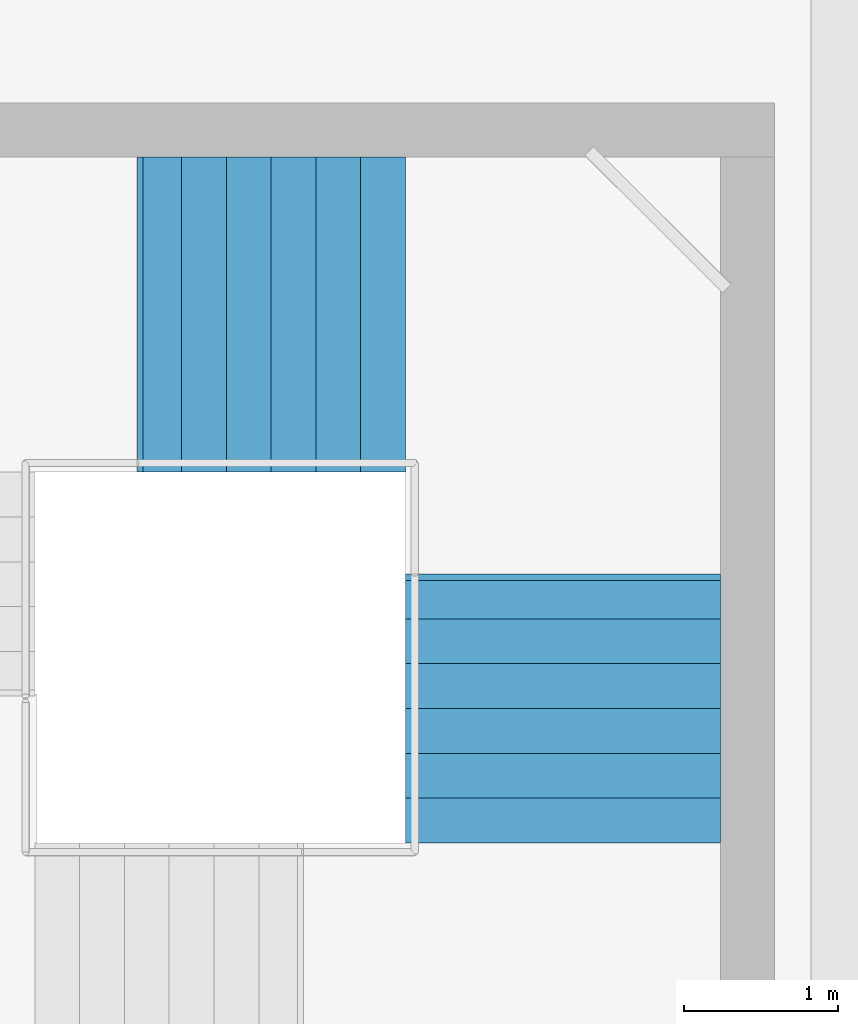
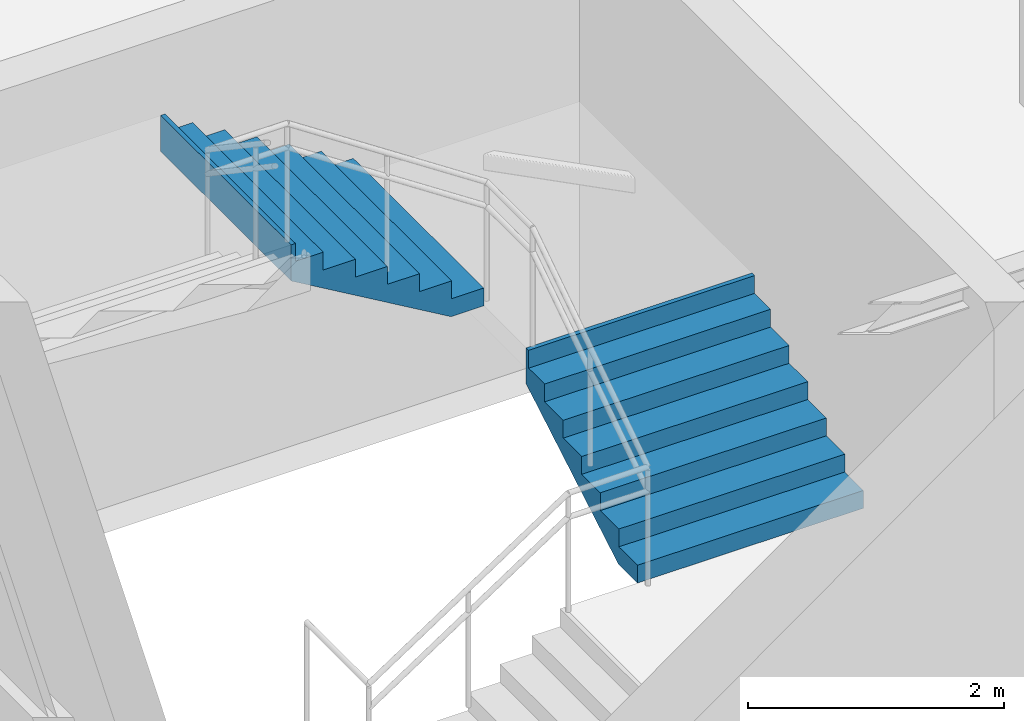
# One storey, part 53 of 55: 2 stair flights, 1 element without a shape of its own.
"""IFC4 building model written with IfcOpenShell, lengths in metres."""

from ifc_helpers import new_model, si_unit, direction, frame, origin, place, context, subcontext, project, spatial, triangles, material, type_object, element, aggregate, save


model = new_model("IFC4")

# Units and contexts
model_context = context("Model", 3, precision=1e-05, world=origin(), true_north=direction((0.0, 1.0)))
body_context = subcontext(model_context, "Body", "Model", "MODEL_VIEW")
ifc_project = project(units=[si_unit("LENGTHUNIT", "METRE"), si_unit("AREAUNIT", "SQUARE_METRE"), si_unit("VOLUMEUNIT", "CUBIC_METRE"), si_unit("PLANEANGLEUNIT", "RADIAN"), si_unit("MASSUNIT", "GRAM", prefix="KILO")], contexts=[model_context])

# Site, building, storey
site_placement = place(None, origin())
site = spatial("IfcSite", under=ifc_project, at=site_placement, CompositionType="ELEMENT")
building_placement = place(site_placement, origin())
building = spatial("IfcBuilding", under=site, at=building_placement, Name="Sillaruma Civic Art Gallery", CompositionType="ELEMENT")
storey_placement = place(building_placement, frame((0.0, 0.0, 37.739990234375)))
storey = spatial("IfcBuildingStorey", under=building, at=storey_placement, Name="L07", CompositionType="ELEMENT", Elevation=37.739990234375)

# Stair, stair flights
ifc_material = material(Name="Concrete H35 (35 MPa)", Category="concrete")
stair_type = type_object("IfcStairType", Name="STR-4F-27", PredefinedType="USERDEFINED", material=ifc_material)
stair_placement = place(storey_placement, origin())
stair = element("IfcStair", 1, at=stair_placement, inside=storey, type_object=stair_type, Name="Protected Exit Stair ST-02 (West Bar North) (L07)", ObjectType="THREE_RETURN_STAIR", PredefinedType="USERDEFINED")
stair_flight_type = type_object("IfcStairFlightType", Name="SFL-STR-7", PredefinedType="STRAIGHT", material=ifc_material)
stair_flight_1_placement = place(storey_placement, frame((68.219970703125, 82.949951171875, 1.18994140625), z_axis=(0.0, 0.0, 1.0), x_axis=(0.0, 1.0, 0.0)))
stair_flight_1 = element("IfcStairFlight", 2, at=stair_flight_1_placement, type_object=stair_flight_type, Name="ST-02 flight 2", NumberOfRisers=7, NumberOfTreads=6, PredefinedType="STRAIGHT", RiserHeight=0.17, TreadLength=0.29, context=body_context, shape_type="Tessellation", body=[
    triangles([(0.0, -1.02001953125, 0.0), (0.29, -1.02001953125, 0.0), (0.296404, -1.02001953125, 0.0), (0.58, -1.02001953125, 0.166246), (0.87, -1.02001953125, 0.336246), (1.16, -1.02001953125, 0.506246), (1.45, -1.02001953125, 0.676246), (1.69999, -1.02001953125, 0.822792), (1.73999, -1.02001953125, 0.84624), (1.73999, -1.02001953125, 1.19), (1.69999, -1.02001953125, 1.19), (1.69999, -1.02001953125, 1.02), (1.45, -1.02001953125, 1.02), (1.45, -1.02001953125, 0.85), (1.16, -1.02001953125, 0.85), (1.16, -1.02001953125, 0.68), (0.87, -1.02001953125, 0.68), (0.87, -1.02001953125, 0.51), (0.58, -1.02001953125, 0.51), (0.58, -1.02001953125, 0.34), (0.296404, -1.02001953125, 0.34), (0.29, -1.02001953125, 0.34), (0.29, -1.02001953125, 0.17), (0.0, -1.02001953125, 0.17), (0.0, -0.05, 0.0), (0.29, -0.05, 0.0), (0.296404, -0.05, 0.0), (0.58, -0.05, 0.166246), (0.87, -0.05, 0.336246), (1.16, -0.05, 0.506246), (1.45, -0.05, 0.676246), (1.69999, -0.05, 0.822792), (1.73999, -0.05, 0.84624), (1.73999, -0.05, 1.19), (1.69999, -0.05, 1.19), (1.69999, -0.05, 1.02), (1.45, -0.05, 1.02), (1.45, -0.05, 0.85), (1.16, -0.05, 0.85), (1.16, -0.05, 0.68), (0.87, -0.05, 0.68), (0.87, -0.05, 0.51), (0.58, -0.05, 0.51), (0.58, -0.05, 0.34), (0.296404, -0.05, 0.34), (0.29, -0.05, 0.34), (0.29, -0.05, 0.17), (0.0, -0.05, 0.17), (0.0, -0.0375, 0.0), (0.29, -0.0375, 0.0), (0.296404, -0.0375, 0.0), (0.58, -0.0375, 0.166246), (0.87, -0.0375, 0.336246), (1.16, -0.0375, 0.506246), (1.45, -0.0375, 0.676246), (1.69999, -0.0375, 0.822792), (1.73999, -0.0375, 0.84624), (1.73999, -0.0375, 1.19), (1.69999, -0.0375, 1.19), (1.69999, -0.0375, 1.02), (1.45, -0.0375, 1.02), (1.45, -0.0375, 0.85), (1.16, -0.0375, 0.85), (1.16, -0.0375, 0.68), (0.87, -0.0375, 0.68), (0.87, -0.0375, 0.51), (0.58, -0.0375, 0.51), (0.58, -0.0375, 0.34), (0.296404, -0.0375, 0.34), (0.29, -0.0375, 0.34), (0.29, -0.0375, 0.17), (0.0, -0.0375, 0.17), (0.0, -0.025, 0.0), (0.29, -0.025, 0.0), (0.296404, -0.025, 0.0), (0.58, -0.025, 0.166246), (0.87, -0.025, 0.336246), (1.16, -0.025, 0.506246), (1.45, -0.025, 0.676246), (1.69999, -0.025, 0.822792), (1.73999, -0.025, 0.84624), (1.73999, -0.025, 1.19), (1.69999, -0.025, 1.19), (1.69999, -0.025, 1.02), (1.45, -0.025, 1.02), (1.45, -0.025, 0.85), (1.16, -0.025, 0.85), (1.16, -0.025, 0.68), (0.87, -0.025, 0.68), (0.87, -0.025, 0.51), (0.58, -0.025, 0.51), (0.58, -0.025, 0.34), (0.296404, -0.025, 0.34), (0.29, -0.025, 0.34), (0.29, -0.025, 0.17), (0.0, -0.025, 0.17), (0.0, -0.0125, 0.0), (0.29, -0.0125, 0.0), (0.296404, -0.0125, 0.0), (0.58, -0.0125, 0.166246), (0.87, -0.0125, 0.336246), (1.16, -0.0125, 0.506246), (1.45, -0.0125, 0.676246), (1.69999, -0.0125, 0.822792), (1.73999, -0.0125, 0.84624), (1.73999, -0.0125, 1.19), (1.69999, -0.0125, 1.19), (1.69999, -0.0125, 1.02), (1.45, -0.0125, 1.02), (1.45, -0.0125, 0.85), (1.16, -0.0125, 0.85), (1.16, -0.0125, 0.68), (0.87, -0.0125, 0.68), (0.87, -0.0125, 0.51), (0.58, -0.0125, 0.51), (0.58, -0.0125, 0.34), (0.296404, -0.0125, 0.34), (0.29, -0.0125, 0.34), (0.29, -0.0125, 0.17), (0.0, -0.0125, 0.17), (0.0, 0.0, 0.0), (0.29, 0.0, 0.0), (0.296404, 0.0, 0.0), (0.58, 0.0, 0.166246), (0.87, 0.0, 0.336246), (1.16, 0.0, 0.506246), (1.45, 0.0, 0.676246), (1.69999, 0.0, 0.822792), (1.73999, 0.0, 0.84624), (1.73999, 0.0, 1.19), (1.69999, 0.0, 1.19), (1.69999, 0.0, 1.02), (1.45, 0.0, 1.02), (1.45, 0.0, 0.85), (1.16, 0.0, 0.85), (1.16, 0.0, 0.68), (0.87, 0.0, 0.68), (0.87, 0.0, 0.51), (0.58, 0.0, 0.51), (0.58, 0.0, 0.34), (0.296404, 0.0, 0.34), (0.29, 0.0, 0.34), (0.29, 0.0, 0.17), (0.0, 0.0, 0.17), (0.0, 0.0125, 0.0), (0.29, 0.0125, 0.0), (0.296404, 0.0125, 0.0), (0.58, 0.0125, 0.166246), (0.87, 0.0125, 0.336246), (1.16, 0.0125, 0.506246), (1.45, 0.0125, 0.676246), (1.69999, 0.0125, 0.822792), (1.73999, 0.0125, 0.84624), (1.73999, 0.0125, 1.19), (1.69999, 0.0125, 1.19), (1.69999, 0.0125, 1.02), (1.45, 0.0125, 1.02), (1.45, 0.0125, 0.85), (1.16, 0.0125, 0.85), (1.16, 0.0125, 0.68), (0.87, 0.0125, 0.68), (0.87, 0.0125, 0.51), (0.58, 0.0125, 0.51), (0.58, 0.0125, 0.34), (0.296404, 0.0125, 0.34), (0.29, 0.0125, 0.34), (0.29, 0.0125, 0.17), (0.0, 0.0125, 0.17), (0.0, 0.025, 0.0), (0.29, 0.025, 0.0), (0.296404, 0.025, 0.0), (0.58, 0.025, 0.166246), (0.87, 0.025, 0.336246), (1.16, 0.025, 0.506246), (1.45, 0.025, 0.676246), (1.69999, 0.025, 0.822792), (1.73999, 0.025, 0.84624), (1.73999, 0.025, 1.19), (1.69999, 0.025, 1.19), (1.69999, 0.025, 1.02), (1.45, 0.025, 1.02), (1.45, 0.025, 0.85), (1.16, 0.025, 0.85), (1.16, 0.025, 0.68), (0.87, 0.025, 0.68), (0.87, 0.025, 0.51), (0.58, 0.025, 0.51), (0.58, 0.025, 0.34), (0.296404, 0.025, 0.34), (0.29, 0.025, 0.34), (0.29, 0.025, 0.17), (0.0, 0.025, 0.17), (0.0, 0.0375, 0.0), (0.29, 0.0375, 0.0), (0.296404, 0.0375, 0.0), (0.58, 0.0375, 0.166246), (0.87, 0.0375, 0.336246), (1.16, 0.0375, 0.506246), (1.45, 0.0375, 0.676246), (1.69999, 0.0375, 0.822792), (1.73999, 0.0375, 0.84624), (1.73999, 0.0375, 1.19), (1.69999, 0.0375, 1.19), (1.69999, 0.0375, 1.02), (1.45, 0.0375, 1.02), (1.45, 0.0375, 0.85), (1.16, 0.0375, 0.85), (1.16, 0.0375, 0.68), (0.87, 0.0375, 0.68), (0.87, 0.0375, 0.51), (0.58, 0.0375, 0.51), (0.58, 0.0375, 0.34), (0.296404, 0.0375, 0.34), (0.29, 0.0375, 0.34), (0.29, 0.0375, 0.17), (0.0, 0.0375, 0.17), (0.0, 0.05, 0.0), (0.29, 0.05, 0.0), (0.296404, 0.05, 0.0), (0.58, 0.05, 0.166246), (0.87, 0.05, 0.336246), (1.16, 0.05, 0.506246), (1.45, 0.05, 0.676246), (1.69999, 0.05, 0.822792), (1.73999, 0.05, 0.84624), (1.73999, 0.05, 1.19), (1.69999, 0.05, 1.19), (1.69999, 0.05, 1.02), (1.45, 0.05, 1.02), (1.45, 0.05, 0.85), (1.16, 0.05, 0.85), (1.16, 0.05, 0.68), (0.87, 0.05, 0.68), (0.87, 0.05, 0.51), (0.58, 0.05, 0.51), (0.58, 0.05, 0.34), (0.296404, 0.05, 0.34), (0.29, 0.05, 0.34), (0.29, 0.05, 0.17), (0.0, 0.05, 0.17), (0.0, 1.02001953125, 0.0), (0.29, 1.02001953125, 0.0), (0.296404, 1.02001953125, 0.0), (0.58, 1.02001953125, 0.166246), (0.87, 1.02001953125, 0.336246), (1.16, 1.02001953125, 0.506246), (1.45, 1.02001953125, 0.676246), (1.69999, 1.02001953125, 0.822792), (1.73999, 1.02001953125, 0.84624), (1.73999, 1.02001953125, 1.19), (1.69999, 1.02001953125, 1.19), (1.69999, 1.02001953125, 1.02), (1.45, 1.02001953125, 1.02), (1.45, 1.02001953125, 0.85), (1.16, 1.02001953125, 0.85), (1.16, 1.02001953125, 0.68), (0.87, 1.02001953125, 0.68), (0.87, 1.02001953125, 0.51), (0.58, 1.02001953125, 0.51), (0.58, 1.02001953125, 0.34), (0.296404, 1.02001953125, 0.34), (0.29, 1.02001953125, 0.34), (0.29, 1.02001953125, 0.17), (0.0, 1.02001953125, 0.17)], [[1, 2, 23], [1, 23, 24], [2, 3, 21], [2, 21, 23], [23, 21, 22], [3, 4, 20], [3, 20, 21], [4, 5, 18], [4, 18, 20], [20, 18, 19], [5, 6, 16], [5, 16, 18], [18, 16, 17], [6, 7, 14], [6, 14, 16], [16, 14, 15], [7, 8, 12], [7, 12, 14], [14, 12, 13], [8, 9, 10], [8, 10, 12], [12, 10, 11], [263, 242, 241], [264, 263, 241], [261, 243, 242], [263, 261, 242], [262, 261, 263], [260, 244, 243], [261, 260, 243], [258, 245, 244], [260, 258, 244], [259, 258, 260], [256, 246, 245], [258, 256, 245], [257, 256, 258], [254, 247, 246], [256, 254, 246], [255, 254, 256], [252, 248, 247], [254, 252, 247], [253, 252, 254], [250, 249, 248], [252, 250, 248], [251, 250, 252], [2, 1, 25], [2, 25, 26], [3, 2, 26], [3, 26, 27], [4, 3, 27], [4, 27, 28], [5, 4, 28], [5, 28, 29], [6, 5, 29], [6, 29, 30], [7, 6, 30], [7, 30, 31], [8, 7, 31], [8, 31, 32], [9, 8, 32], [9, 32, 33], [10, 9, 33], [10, 33, 34], [11, 10, 34], [11, 34, 35], [12, 11, 35], [12, 35, 36], [13, 12, 36], [13, 36, 37], [14, 13, 37], [14, 37, 38], [15, 14, 38], [15, 38, 39], [16, 15, 39], [16, 39, 40], [17, 16, 40], [17, 40, 41], [18, 17, 41], [18, 41, 42], [19, 18, 42], [19, 42, 43], [20, 19, 43], [20, 43, 44], [21, 20, 44], [21, 44, 45], [22, 21, 45], [22, 45, 46], [23, 22, 46], [23, 46, 47], [24, 23, 47], [24, 47, 48], [1, 24, 48], [1, 48, 25], [26, 25, 49], [26, 49, 50], [27, 26, 50], [27, 50, 51], [28, 27, 51], [28, 51, 52], [29, 28, 52], [29, 52, 53], [30, 29, 53], [30, 53, 54], [31, 30, 54], [31, 54, 55], [32, 31, 55], [32, 55, 56], [33, 32, 56], [33, 56, 57], [34, 33, 57], [34, 57, 58], [35, 34, 58], [35, 58, 59], [36, 35, 59], [36, 59, 60], [37, 36, 60], [37, 60, 61], [38, 37, 61], [38, 61, 62], [39, 38, 62], [39, 62, 63], [40, 39, 63], [40, 63, 64], [41, 40, 64], [41, 64, 65], [42, 41, 65], [42, 65, 66], [43, 42, 66], [43, 66, 67], [44, 43, 67], [44, 67, 68], [45, 44, 68], [45, 68, 69], [46, 45, 69], [46, 69, 70], [47, 46, 70], [47, 70, 71], [48, 47, 71], [48, 71, 72], [25, 48, 72], [25, 72, 49], [50, 49, 73], [50, 73, 74], [51, 50, 74], [51, 74, 75], [52, 51, 75], [52, 75, 76], [53, 52, 76], [53, 76, 77], [54, 53, 77], [54, 77, 78], [55, 54, 78], [55, 78, 79], [56, 55, 79], [56, 79, 80], [57, 56, 80], [57, 80, 81], [58, 57, 81], [58, 81, 82], [59, 58, 82], [59, 82, 83], [60, 59, 83], [60, 83, 84], [61, 60, 84], [61, 84, 85], [62, 61, 85], [62, 85, 86], [63, 62, 86], [63, 86, 87], [64, 63, 87], [64, 87, 88], [65, 64, 88], [65, 88, 89], [66, 65, 89], [66, 89, 90], [67, 66, 90], [67, 90, 91], [68, 67, 91], [68, 91, 92], [69, 68, 92], [69, 92, 93], [70, 69, 93], [70, 93, 94], [71, 70, 94], [71, 94, 95], [72, 71, 95], [72, 95, 96], [49, 72, 96], [49, 96, 73], [74, 73, 97], [74, 97, 98], [75, 74, 98], [75, 98, 99], [76, 75, 99], [76, 99, 100], [77, 76, 100], [77, 100, 101], [78, 77, 101], [78, 101, 102], [79, 78, 102], [79, 102, 103], [80, 79, 103], [80, 103, 104], [81, 80, 104], [81, 104, 105], [82, 81, 105], [82, 105, 106], [83, 82, 106], [83, 106, 107], [84, 83, 107], [84, 107, 108], [85, 84, 108], [85, 108, 109], [86, 85, 109], [86, 109, 110], [87, 86, 110], [87, 110, 111], [88, 87, 111], [88, 111, 112], [89, 88, 112], [89, 112, 113], [90, 89, 113], [90, 113, 114], [91, 90, 114], [91, 114, 115], [92, 91, 115], [92, 115, 116], [93, 92, 116], [93, 116, 117], [94, 93, 117], [94, 117, 118], [95, 94, 118], [95, 118, 119], [96, 95, 119], [96, 119, 120], [73, 96, 120], [73, 120, 97], [98, 97, 121], [98, 121, 122], [99, 98, 122], [99, 122, 123], [100, 99, 123], [100, 123, 124], [101, 100, 124], [101, 124, 125], [102, 101, 125], [102, 125, 126], [103, 102, 126], [103, 126, 127], [104, 103, 127], [104, 127, 128], [105, 104, 128], [105, 128, 129], [106, 105, 129], [106, 129, 130], [107, 106, 130], [107, 130, 131], [108, 107, 131], [108, 131, 132], [109, 108, 132], [109, 132, 133], [110, 109, 133], [110, 133, 134], [111, 110, 134], [111, 134, 135], [112, 111, 135], [112, 135, 136], [113, 112, 136], [113, 136, 137], [114, 113, 137], [114, 137, 138], [115, 114, 138], [115, 138, 139], [116, 115, 139], [116, 139, 140], [117, 116, 140], [117, 140, 141], [118, 117, 141], [118, 141, 142], [119, 118, 142], [119, 142, 143], [120, 119, 143], [120, 143, 144], [97, 120, 144], [97, 144, 121], [122, 121, 145], [122, 145, 146], [123, 122, 146], [123, 146, 147], [124, 123, 147], [124, 147, 148], [125, 124, 148], [125, 148, 149], [126, 125, 149], [126, 149, 150], [127, 126, 150], [127, 150, 151], [128, 127, 151], [128, 151, 152], [129, 128, 152], [129, 152, 153], [130, 129, 153], [130, 153, 154], [131, 130, 154], [131, 154, 155], [132, 131, 155], [132, 155, 156], [133, 132, 156], [133, 156, 157], [134, 133, 157], [134, 157, 158], [135, 134, 158], [135, 158, 159], [136, 135, 159], [136, 159, 160], [137, 136, 160], [137, 160, 161], [138, 137, 161], [138, 161, 162], [139, 138, 162], [139, 162, 163], [140, 139, 163], [140, 163, 164], [141, 140, 164], [141, 164, 165], [142, 141, 165], [142, 165, 166], [143, 142, 166], [143, 166, 167], [144, 143, 167], [144, 167, 168], [121, 144, 168], [121, 168, 145], [146, 145, 169], [146, 169, 170], [147, 146, 170], [147, 170, 171], [148, 147, 171], [148, 171, 172], [149, 148, 172], [149, 172, 173], [150, 149, 173], [150, 173, 174], [151, 150, 174], [151, 174, 175], [152, 151, 175], [152, 175, 176], [153, 152, 176], [153, 176, 177], [154, 153, 177], [154, 177, 178], [155, 154, 178], [155, 178, 179], [156, 155, 179], [156, 179, 180], [157, 156, 180], [157, 180, 181], [158, 157, 181], [158, 181, 182], [159, 158, 182], [159, 182, 183], [160, 159, 183], [160, 183, 184], [161, 160, 184], [161, 184, 185], [162, 161, 185], [162, 185, 186], [163, 162, 186], [163, 186, 187], [164, 163, 187], [164, 187, 188], [165, 164, 188], [165, 188, 189], [166, 165, 189], [166, 189, 190], [167, 166, 190], [167, 190, 191], [168, 167, 191], [168, 191, 192], [145, 168, 192], [145, 192, 169], [170, 169, 193], [170, 193, 194], [171, 170, 194], [171, 194, 195], [172, 171, 195], [172, 195, 196], [173, 172, 196], [173, 196, 197], [174, 173, 197], [174, 197, 198], [175, 174, 198], [175, 198, 199], [176, 175, 199], [176, 199, 200], [177, 176, 200], [177, 200, 201], [178, 177, 201], [178, 201, 202], [179, 178, 202], [179, 202, 203], [180, 179, 203], [180, 203, 204], [181, 180, 204], [181, 204, 205], [182, 181, 205], [182, 205, 206], [183, 182, 206], [183, 206, 207], [184, 183, 207], [184, 207, 208], [185, 184, 208], [185, 208, 209], [186, 185, 209], [186, 209, 210], [187, 186, 210], [187, 210, 211], [188, 187, 211], [188, 211, 212], [189, 188, 212], [189, 212, 213], [190, 189, 213], [190, 213, 214], [191, 190, 214], [191, 214, 215], [192, 191, 215], [192, 215, 216], [169, 192, 216], [169, 216, 193], [194, 193, 217], [194, 217, 218], [195, 194, 218], [195, 218, 219], [196, 195, 219], [196, 219, 220], [197, 196, 220], [197, 220, 221], [198, 197, 221], [198, 221, 222], [199, 198, 222], [199, 222, 223], [200, 199, 223], [200, 223, 224], [201, 200, 224], [201, 224, 225], [202, 201, 225], [202, 225, 226], [203, 202, 226], [203, 226, 227], [204, 203, 227], [204, 227, 228], [205, 204, 228], [205, 228, 229], [206, 205, 229], [206, 229, 230], [207, 206, 230], [207, 230, 231], [208, 207, 231], [208, 231, 232], [209, 208, 232], [209, 232, 233], [210, 209, 233], [210, 233, 234], [211, 210, 234], [211, 234, 235], [212, 211, 235], [212, 235, 236], [213, 212, 236], [213, 236, 237], [214, 213, 237], [214, 237, 238], [215, 214, 238], [215, 238, 239], [216, 215, 239], [216, 239, 240], [193, 216, 240], [193, 240, 217], [218, 217, 241], [218, 241, 242], [219, 218, 242], [219, 242, 243], [220, 219, 243], [220, 243, 244], [221, 220, 244], [221, 244, 245], [222, 221, 245], [222, 245, 246], [223, 222, 246], [223, 246, 247], [224, 223, 247], [224, 247, 248], [225, 224, 248], [225, 248, 249], [226, 225, 249], [226, 249, 250], [227, 226, 250], [227, 250, 251], [228, 227, 251], [228, 251, 252], [229, 228, 252], [229, 252, 253], [230, 229, 253], [230, 253, 254], [231, 230, 254], [231, 254, 255], [232, 231, 255], [232, 255, 256], [233, 232, 256], [233, 256, 257], [234, 233, 257], [234, 257, 258], [235, 234, 258], [235, 258, 259], [236, 235, 259], [236, 259, 260], [237, 236, 260], [237, 260, 261], [238, 237, 261], [238, 261, 262], [239, 238, 262], [239, 262, 263], [240, 239, 263], [240, 263, 264], [217, 240, 264], [217, 264, 241]], closed=True),
])
stair_flight_2_placement = place(storey_placement, frame((67.199951171875, 86.3701171875, 2.380126953125), z_axis=(0.0, 0.0, 1.0), x_axis=(-1.0, 0.0, 0.0)))
stair_flight_2 = element("IfcStairFlight", 3, at=stair_flight_2_placement, type_object=stair_flight_type, Name="ST-02 flight 3", NumberOfRisers=7, NumberOfTreads=6, PredefinedType="STRAIGHT", RiserHeight=0.17, TreadLength=0.29, context=body_context, shape_type="Tessellation", body=[
    triangles([(0.0, -1.02001953125, 0.0), (0.29, -1.02001953125, 0.0), (0.296404, -1.02001953125, 0.0), (0.58, -1.02001953125, 0.166246), (0.87, -1.02001953125, 0.336246), (1.16, -1.02001953125, 0.506246), (1.45, -1.02001953125, 0.676246), (1.69999, -1.02001953125, 0.822792), (1.73999, -1.02001953125, 0.84624), (1.73999, -1.02001953125, 1.19), (1.69999, -1.02001953125, 1.19), (1.69999, -1.02001953125, 1.02), (1.45, -1.02001953125, 1.02), (1.45, -1.02001953125, 0.85), (1.16, -1.02001953125, 0.85), (1.16, -1.02001953125, 0.68), (0.87, -1.02001953125, 0.68), (0.87, -1.02001953125, 0.51), (0.58, -1.02001953125, 0.51), (0.58, -1.02001953125, 0.34), (0.296404, -1.02001953125, 0.34), (0.29, -1.02001953125, 0.34), (0.29, -1.02001953125, 0.17), (0.0, -1.02001953125, 0.17), (0.0, -0.05, 0.0), (0.29, -0.05, 0.0), (0.296404, -0.05, 0.0), (0.58, -0.05, 0.166246), (0.87, -0.05, 0.336246), (1.16, -0.05, 0.506246), (1.45, -0.05, 0.676246), (1.69999, -0.05, 0.822792), (1.73999, -0.05, 0.84624), (1.73999, -0.05, 1.19), (1.69999, -0.05, 1.19), (1.69999, -0.05, 1.02), (1.45, -0.05, 1.02), (1.45, -0.05, 0.85), (1.16, -0.05, 0.85), (1.16, -0.05, 0.68), (0.87, -0.05, 0.68), (0.87, -0.05, 0.51), (0.58, -0.05, 0.51), (0.58, -0.05, 0.34), (0.296404, -0.05, 0.34), (0.29, -0.05, 0.34), (0.29, -0.05, 0.17), (0.0, -0.05, 0.17), (0.0, -0.0375, 0.0), (0.29, -0.0375, 0.0), (0.296404, -0.0375, 0.0), (0.58, -0.0375, 0.166246), (0.87, -0.0375, 0.336246), (1.16, -0.0375, 0.506246), (1.45, -0.0375, 0.676246), (1.69999, -0.0375, 0.822792), (1.73999, -0.0375, 0.84624), (1.73999, -0.0375, 1.19), (1.69999, -0.0375, 1.19), (1.69999, -0.0375, 1.02), (1.45, -0.0375, 1.02), (1.45, -0.0375, 0.85), (1.16, -0.0375, 0.85), (1.16, -0.0375, 0.68), (0.87, -0.0375, 0.68), (0.87, -0.0375, 0.51), (0.58, -0.0375, 0.51), (0.58, -0.0375, 0.34), (0.296404, -0.0375, 0.34), (0.29, -0.0375, 0.34), (0.29, -0.0375, 0.17), (0.0, -0.0375, 0.17), (0.0, -0.025, 0.0), (0.29, -0.025, 0.0), (0.296404, -0.025, 0.0), (0.58, -0.025, 0.166246), (0.87, -0.025, 0.336246), (1.16, -0.025, 0.506246), (1.45, -0.025, 0.676246), (1.69999, -0.025, 0.822792), (1.73999, -0.025, 0.84624), (1.73999, -0.025, 1.19), (1.69999, -0.025, 1.19), (1.69999, -0.025, 1.02), (1.45, -0.025, 1.02), (1.45, -0.025, 0.85), (1.16, -0.025, 0.85), (1.16, -0.025, 0.68), (0.87, -0.025, 0.68), (0.87, -0.025, 0.51), (0.58, -0.025, 0.51), (0.58, -0.025, 0.34), (0.296404, -0.025, 0.34), (0.29, -0.025, 0.34), (0.29, -0.025, 0.17), (0.0, -0.025, 0.17), (0.0, -0.0125, 0.0), (0.29, -0.0125, 0.0), (0.296404, -0.0125, 0.0), (0.58, -0.0125, 0.166246), (0.87, -0.0125, 0.336246), (1.16, -0.0125, 0.506246), (1.45, -0.0125, 0.676246), (1.69999, -0.0125, 0.822792), (1.73999, -0.0125, 0.84624), (1.73999, -0.0125, 1.19), (1.69999, -0.0125, 1.19), (1.69999, -0.0125, 1.02), (1.45, -0.0125, 1.02), (1.45, -0.0125, 0.85), (1.16, -0.0125, 0.85), (1.16, -0.0125, 0.68), (0.87, -0.0125, 0.68), (0.87, -0.0125, 0.51), (0.58, -0.0125, 0.51), (0.58, -0.0125, 0.34), (0.296404, -0.0125, 0.34), (0.29, -0.0125, 0.34), (0.29, -0.0125, 0.17), (0.0, -0.0125, 0.17), (0.0, 0.0, 0.0), (0.29, 0.0, 0.0), (0.296404, 0.0, 0.0), (0.58, 0.0, 0.166246), (0.87, 0.0, 0.336246), (1.16, 0.0, 0.506246), (1.45, 0.0, 0.676246), (1.69999, 0.0, 0.822792), (1.73999, 0.0, 0.84624), (1.73999, 0.0, 1.19), (1.69999, 0.0, 1.19), (1.69999, 0.0, 1.02), (1.45, 0.0, 1.02), (1.45, 0.0, 0.85), (1.16, 0.0, 0.85), (1.16, 0.0, 0.68), (0.87, 0.0, 0.68), (0.87, 0.0, 0.51), (0.58, 0.0, 0.51), (0.58, 0.0, 0.34), (0.296404, 0.0, 0.34), (0.29, 0.0, 0.34), (0.29, 0.0, 0.17), (0.0, 0.0, 0.17), (0.0, 0.0125, 0.0), (0.29, 0.0125, 0.0), (0.296404, 0.0125, 0.0), (0.58, 0.0125, 0.166246), (0.87, 0.0125, 0.336246), (1.16, 0.0125, 0.506246), (1.45, 0.0125, 0.676246), (1.69999, 0.0125, 0.822792), (1.73999, 0.0125, 0.84624), (1.73999, 0.0125, 1.19), (1.69999, 0.0125, 1.19), (1.69999, 0.0125, 1.02), (1.45, 0.0125, 1.02), (1.45, 0.0125, 0.85), (1.16, 0.0125, 0.85), (1.16, 0.0125, 0.68), (0.87, 0.0125, 0.68), (0.87, 0.0125, 0.51), (0.58, 0.0125, 0.51), (0.58, 0.0125, 0.34), (0.296404, 0.0125, 0.34), (0.29, 0.0125, 0.34), (0.29, 0.0125, 0.17), (0.0, 0.0125, 0.17), (0.0, 0.025, 0.0), (0.29, 0.025, 0.0), (0.296404, 0.025, 0.0), (0.58, 0.025, 0.166246), (0.87, 0.025, 0.336246), (1.16, 0.025, 0.506246), (1.45, 0.025, 0.676246), (1.69999, 0.025, 0.822792), (1.73999, 0.025, 0.84624), (1.73999, 0.025, 1.19), (1.69999, 0.025, 1.19), (1.69999, 0.025, 1.02), (1.45, 0.025, 1.02), (1.45, 0.025, 0.85), (1.16, 0.025, 0.85), (1.16, 0.025, 0.68), (0.87, 0.025, 0.68), (0.87, 0.025, 0.51), (0.58, 0.025, 0.51), (0.58, 0.025, 0.34), (0.296404, 0.025, 0.34), (0.29, 0.025, 0.34), (0.29, 0.025, 0.17), (0.0, 0.025, 0.17), (0.0, 0.0375, 0.0), (0.29, 0.0375, 0.0), (0.296404, 0.0375, 0.0), (0.58, 0.0375, 0.166246), (0.87, 0.0375, 0.336246), (1.16, 0.0375, 0.506246), (1.45, 0.0375, 0.676246), (1.69999, 0.0375, 0.822792), (1.73999, 0.0375, 0.84624), (1.73999, 0.0375, 1.19), (1.69999, 0.0375, 1.19), (1.69999, 0.0375, 1.02), (1.45, 0.0375, 1.02), (1.45, 0.0375, 0.85), (1.16, 0.0375, 0.85), (1.16, 0.0375, 0.68), (0.87, 0.0375, 0.68), (0.87, 0.0375, 0.51), (0.58, 0.0375, 0.51), (0.58, 0.0375, 0.34), (0.296404, 0.0375, 0.34), (0.29, 0.0375, 0.34), (0.29, 0.0375, 0.17), (0.0, 0.0375, 0.17), (0.0, 0.05, 0.0), (0.29, 0.05, 0.0), (0.296404, 0.05, 0.0), (0.58, 0.05, 0.166246), (0.87, 0.05, 0.336246), (1.16, 0.05, 0.506246), (1.45, 0.05, 0.676246), (1.69999, 0.05, 0.822792), (1.73999, 0.05, 0.84624), (1.73999, 0.05, 1.19), (1.69999, 0.05, 1.19), (1.69999, 0.05, 1.02), (1.45, 0.05, 1.02), (1.45, 0.05, 0.85), (1.16, 0.05, 0.85), (1.16, 0.05, 0.68), (0.87, 0.05, 0.68), (0.87, 0.05, 0.51), (0.58, 0.05, 0.51), (0.58, 0.05, 0.34), (0.296404, 0.05, 0.34), (0.29, 0.05, 0.34), (0.29, 0.05, 0.17), (0.0, 0.05, 0.17), (0.0, 1.02001953125, 0.0), (0.29, 1.02001953125, 0.0), (0.296404, 1.02001953125, 0.0), (0.58, 1.02001953125, 0.166246), (0.87, 1.02001953125, 0.336246), (1.16, 1.02001953125, 0.506246), (1.45, 1.02001953125, 0.676246), (1.69999, 1.02001953125, 0.822792), (1.73999, 1.02001953125, 0.84624), (1.73999, 1.02001953125, 1.19), (1.69999, 1.02001953125, 1.19), (1.69999, 1.02001953125, 1.02), (1.45, 1.02001953125, 1.02), (1.45, 1.02001953125, 0.85), (1.16, 1.02001953125, 0.85), (1.16, 1.02001953125, 0.68), (0.87, 1.02001953125, 0.68), (0.87, 1.02001953125, 0.51), (0.58, 1.02001953125, 0.51), (0.58, 1.02001953125, 0.34), (0.296404, 1.02001953125, 0.34), (0.29, 1.02001953125, 0.34), (0.29, 1.02001953125, 0.17), (0.0, 1.02001953125, 0.17)], [[1, 2, 23], [1, 23, 24], [2, 3, 21], [2, 21, 23], [23, 21, 22], [3, 4, 20], [3, 20, 21], [4, 5, 18], [4, 18, 20], [20, 18, 19], [5, 6, 16], [5, 16, 18], [18, 16, 17], [6, 7, 14], [6, 14, 16], [16, 14, 15], [7, 8, 12], [7, 12, 14], [14, 12, 13], [8, 9, 10], [8, 10, 12], [12, 10, 11], [263, 242, 241], [264, 263, 241], [261, 243, 242], [263, 261, 242], [262, 261, 263], [260, 244, 243], [261, 260, 243], [258, 245, 244], [260, 258, 244], [259, 258, 260], [256, 246, 245], [258, 256, 245], [257, 256, 258], [254, 247, 246], [256, 254, 246], [255, 254, 256], [252, 248, 247], [254, 252, 247], [253, 252, 254], [250, 249, 248], [252, 250, 248], [251, 250, 252], [2, 1, 25], [2, 25, 26], [3, 2, 26], [3, 26, 27], [4, 3, 27], [4, 27, 28], [5, 4, 28], [5, 28, 29], [6, 5, 29], [6, 29, 30], [7, 6, 30], [7, 30, 31], [8, 7, 31], [8, 31, 32], [9, 8, 32], [9, 32, 33], [10, 9, 33], [10, 33, 34], [11, 10, 34], [11, 34, 35], [12, 11, 35], [12, 35, 36], [13, 12, 36], [13, 36, 37], [14, 13, 37], [14, 37, 38], [15, 14, 38], [15, 38, 39], [16, 15, 39], [16, 39, 40], [17, 16, 40], [17, 40, 41], [18, 17, 41], [18, 41, 42], [19, 18, 42], [19, 42, 43], [20, 19, 43], [20, 43, 44], [21, 20, 44], [21, 44, 45], [22, 21, 45], [22, 45, 46], [23, 22, 46], [23, 46, 47], [24, 23, 47], [24, 47, 48], [1, 24, 48], [1, 48, 25], [26, 25, 49], [26, 49, 50], [27, 26, 50], [27, 50, 51], [28, 27, 51], [28, 51, 52], [29, 28, 52], [29, 52, 53], [30, 29, 53], [30, 53, 54], [31, 30, 54], [31, 54, 55], [32, 31, 55], [32, 55, 56], [33, 32, 56], [33, 56, 57], [34, 33, 57], [34, 57, 58], [35, 34, 58], [35, 58, 59], [36, 35, 59], [36, 59, 60], [37, 36, 60], [37, 60, 61], [38, 37, 61], [38, 61, 62], [39, 38, 62], [39, 62, 63], [40, 39, 63], [40, 63, 64], [41, 40, 64], [41, 64, 65], [42, 41, 65], [42, 65, 66], [43, 42, 66], [43, 66, 67], [44, 43, 67], [44, 67, 68], [45, 44, 68], [45, 68, 69], [46, 45, 69], [46, 69, 70], [47, 46, 70], [47, 70, 71], [48, 47, 71], [48, 71, 72], [25, 48, 72], [25, 72, 49], [50, 49, 73], [50, 73, 74], [51, 50, 74], [51, 74, 75], [52, 51, 75], [52, 75, 76], [53, 52, 76], [53, 76, 77], [54, 53, 77], [54, 77, 78], [55, 54, 78], [55, 78, 79], [56, 55, 79], [56, 79, 80], [57, 56, 80], [57, 80, 81], [58, 57, 81], [58, 81, 82], [59, 58, 82], [59, 82, 83], [60, 59, 83], [60, 83, 84], [61, 60, 84], [61, 84, 85], [62, 61, 85], [62, 85, 86], [63, 62, 86], [63, 86, 87], [64, 63, 87], [64, 87, 88], [65, 64, 88], [65, 88, 89], [66, 65, 89], [66, 89, 90], [67, 66, 90], [67, 90, 91], [68, 67, 91], [68, 91, 92], [69, 68, 92], [69, 92, 93], [70, 69, 93], [70, 93, 94], [71, 70, 94], [71, 94, 95], [72, 71, 95], [72, 95, 96], [49, 72, 96], [49, 96, 73], [74, 73, 97], [74, 97, 98], [75, 74, 98], [75, 98, 99], [76, 75, 99], [76, 99, 100], [77, 76, 100], [77, 100, 101], [78, 77, 101], [78, 101, 102], [79, 78, 102], [79, 102, 103], [80, 79, 103], [80, 103, 104], [81, 80, 104], [81, 104, 105], [82, 81, 105], [82, 105, 106], [83, 82, 106], [83, 106, 107], [84, 83, 107], [84, 107, 108], [85, 84, 108], [85, 108, 109], [86, 85, 109], [86, 109, 110], [87, 86, 110], [87, 110, 111], [88, 87, 111], [88, 111, 112], [89, 88, 112], [89, 112, 113], [90, 89, 113], [90, 113, 114], [91, 90, 114], [91, 114, 115], [92, 91, 115], [92, 115, 116], [93, 92, 116], [93, 116, 117], [94, 93, 117], [94, 117, 118], [95, 94, 118], [95, 118, 119], [96, 95, 119], [96, 119, 120], [73, 96, 120], [73, 120, 97], [98, 97, 121], [98, 121, 122], [99, 98, 122], [99, 122, 123], [100, 99, 123], [100, 123, 124], [101, 100, 124], [101, 124, 125], [102, 101, 125], [102, 125, 126], [103, 102, 126], [103, 126, 127], [104, 103, 127], [104, 127, 128], [105, 104, 128], [105, 128, 129], [106, 105, 129], [106, 129, 130], [107, 106, 130], [107, 130, 131], [108, 107, 131], [108, 131, 132], [109, 108, 132], [109, 132, 133], [110, 109, 133], [110, 133, 134], [111, 110, 134], [111, 134, 135], [112, 111, 135], [112, 135, 136], [113, 112, 136], [113, 136, 137], [114, 113, 137], [114, 137, 138], [115, 114, 138], [115, 138, 139], [116, 115, 139], [116, 139, 140], [117, 116, 140], [117, 140, 141], [118, 117, 141], [118, 141, 142], [119, 118, 142], [119, 142, 143], [120, 119, 143], [120, 143, 144], [97, 120, 144], [97, 144, 121], [122, 121, 145], [122, 145, 146], [123, 122, 146], [123, 146, 147], [124, 123, 147], [124, 147, 148], [125, 124, 148], [125, 148, 149], [126, 125, 149], [126, 149, 150], [127, 126, 150], [127, 150, 151], [128, 127, 151], [128, 151, 152], [129, 128, 152], [129, 152, 153], [130, 129, 153], [130, 153, 154], [131, 130, 154], [131, 154, 155], [132, 131, 155], [132, 155, 156], [133, 132, 156], [133, 156, 157], [134, 133, 157], [134, 157, 158], [135, 134, 158], [135, 158, 159], [136, 135, 159], [136, 159, 160], [137, 136, 160], [137, 160, 161], [138, 137, 161], [138, 161, 162], [139, 138, 162], [139, 162, 163], [140, 139, 163], [140, 163, 164], [141, 140, 164], [141, 164, 165], [142, 141, 165], [142, 165, 166], [143, 142, 166], [143, 166, 167], [144, 143, 167], [144, 167, 168], [121, 144, 168], [121, 168, 145], [146, 145, 169], [146, 169, 170], [147, 146, 170], [147, 170, 171], [148, 147, 171], [148, 171, 172], [149, 148, 172], [149, 172, 173], [150, 149, 173], [150, 173, 174], [151, 150, 174], [151, 174, 175], [152, 151, 175], [152, 175, 176], [153, 152, 176], [153, 176, 177], [154, 153, 177], [154, 177, 178], [155, 154, 178], [155, 178, 179], [156, 155, 179], [156, 179, 180], [157, 156, 180], [157, 180, 181], [158, 157, 181], [158, 181, 182], [159, 158, 182], [159, 182, 183], [160, 159, 183], [160, 183, 184], [161, 160, 184], [161, 184, 185], [162, 161, 185], [162, 185, 186], [163, 162, 186], [163, 186, 187], [164, 163, 187], [164, 187, 188], [165, 164, 188], [165, 188, 189], [166, 165, 189], [166, 189, 190], [167, 166, 190], [167, 190, 191], [168, 167, 191], [168, 191, 192], [145, 168, 192], [145, 192, 169], [170, 169, 193], [170, 193, 194], [171, 170, 194], [171, 194, 195], [172, 171, 195], [172, 195, 196], [173, 172, 196], [173, 196, 197], [174, 173, 197], [174, 197, 198], [175, 174, 198], [175, 198, 199], [176, 175, 199], [176, 199, 200], [177, 176, 200], [177, 200, 201], [178, 177, 201], [178, 201, 202], [179, 178, 202], [179, 202, 203], [180, 179, 203], [180, 203, 204], [181, 180, 204], [181, 204, 205], [182, 181, 205], [182, 205, 206], [183, 182, 206], [183, 206, 207], [184, 183, 207], [184, 207, 208], [185, 184, 208], [185, 208, 209], [186, 185, 209], [186, 209, 210], [187, 186, 210], [187, 210, 211], [188, 187, 211], [188, 211, 212], [189, 188, 212], [189, 212, 213], [190, 189, 213], [190, 213, 214], [191, 190, 214], [191, 214, 215], [192, 191, 215], [192, 215, 216], [169, 192, 216], [169, 216, 193], [194, 193, 217], [194, 217, 218], [195, 194, 218], [195, 218, 219], [196, 195, 219], [196, 219, 220], [197, 196, 220], [197, 220, 221], [198, 197, 221], [198, 221, 222], [199, 198, 222], [199, 222, 223], [200, 199, 223], [200, 223, 224], [201, 200, 224], [201, 224, 225], [202, 201, 225], [202, 225, 226], [203, 202, 226], [203, 226, 227], [204, 203, 227], [204, 227, 228], [205, 204, 228], [205, 228, 229], [206, 205, 229], [206, 229, 230], [207, 206, 230], [207, 230, 231], [208, 207, 231], [208, 231, 232], [209, 208, 232], [209, 232, 233], [210, 209, 233], [210, 233, 234], [211, 210, 234], [211, 234, 235], [212, 211, 235], [212, 235, 236], [213, 212, 236], [213, 236, 237], [214, 213, 237], [214, 237, 238], [215, 214, 238], [215, 238, 239], [216, 215, 239], [216, 239, 240], [193, 216, 240], [193, 240, 217], [218, 217, 241], [218, 241, 242], [219, 218, 242], [219, 242, 243], [220, 219, 243], [220, 243, 244], [221, 220, 244], [221, 244, 245], [222, 221, 245], [222, 245, 246], [223, 222, 246], [223, 246, 247], [224, 223, 247], [224, 247, 248], [225, 224, 248], [225, 248, 249], [226, 225, 249], [226, 249, 250], [227, 226, 250], [227, 250, 251], [228, 227, 251], [228, 251, 252], [229, 228, 252], [229, 252, 253], [230, 229, 253], [230, 253, 254], [231, 230, 254], [231, 254, 255], [232, 231, 255], [232, 255, 256], [233, 232, 256], [233, 256, 257], [234, 233, 257], [234, 257, 258], [235, 234, 258], [235, 258, 259], [236, 235, 259], [236, 259, 260], [237, 236, 260], [237, 260, 261], [238, 237, 261], [238, 261, 262], [239, 238, 262], [239, 262, 263], [240, 239, 263], [240, 263, 264], [217, 240, 264], [217, 264, 241]], closed=True),
])
aggregate(stair, [stair_flight_1, stair_flight_2])

save(model, "model.ifc")
